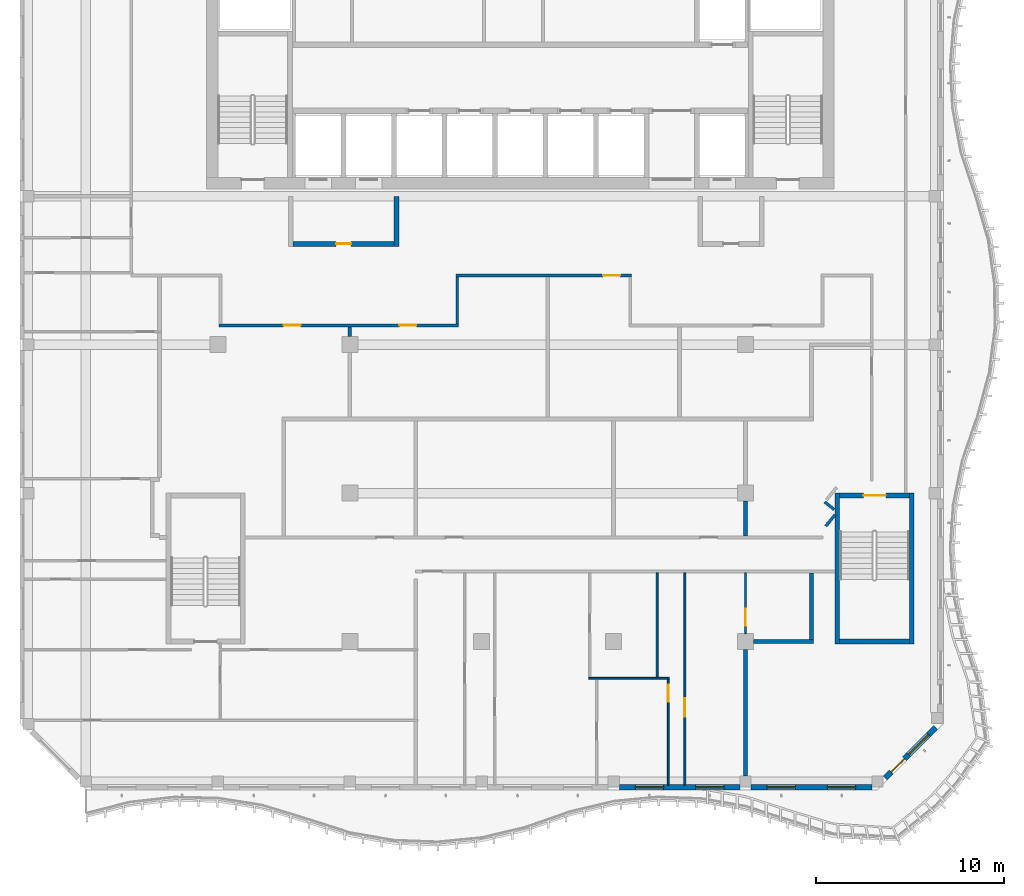
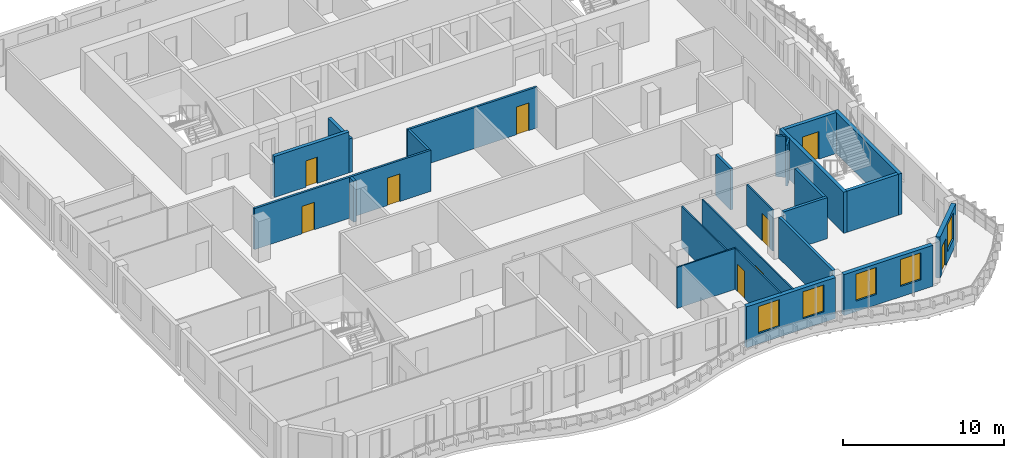
# One storey, part 4 of 17: 24 walls, 9 doors, 5 windows, 14 openings.
"""IFC4 building model written with IfcOpenShell, lengths in metres."""

from ifc_helpers import new_model, si_unit, direction, frame, frame_2d, origin, place, context, subcontext, project, spatial, rectangle, extrude, source, transform, mapped, material, layer, layer_set, type_object, element, fill, save


model = new_model("IFC4")

# Units and contexts
model_context = context("Model", 3, precision=1e-05, world=origin(), true_north=direction((0.0, 1.0)))
body_context = subcontext(model_context, "Body", "Model", "MODEL_VIEW")
ifc_project = project(units=[si_unit("LENGTHUNIT", "METRE"), si_unit("AREAUNIT", "SQUARE_METRE"), si_unit("VOLUMEUNIT", "CUBIC_METRE"), si_unit("PLANEANGLEUNIT", "RADIAN"), si_unit("MASSUNIT", "GRAM", prefix="KILO")], contexts=[model_context])

# Site, building, storey
site_placement = place(None, origin())
site = spatial("IfcSite", under=ifc_project, at=site_placement, CompositionType="ELEMENT")
building_placement = place(site_placement, origin())
building = spatial("IfcBuilding", under=site, at=building_placement, Name="Kilnfold Tower and Market Hall", CompositionType="ELEMENT")
storey_placement = place(building_placement, frame((0.0, 0.0, 308.60009765625)))
storey = spatial("IfcBuildingStorey", under=building, at=storey_placement, Name="L77", CompositionType="ELEMENT", Elevation=308.60009765625)

# Wall, openings, doors
ifc_material_1 = material(Name="Gypsum board on steel studs", Category="steel")
ifc_layer_1 = layer(ifc_material_1, 0.14990234375)
ifc_layer_set_1 = layer_set([ifc_layer_1], Name="Gypsum board on steel studs")
wall_type_1 = type_object("IfcWallType", Name="WALL CORRIDOR 150", PredefinedType="PARTITIONING", material=ifc_layer_set_1)
wall_1_placement = place(storey_placement, frame((-14.93505859375, 1.14990234375, 0.0), z_axis=(0.0, 0.0, 1.0), x_axis=(1.0, 0.0, 0.0)))
wall_1 = element("IfcWall", 1, at=wall_1_placement, inside=storey, type_object=wall_type_1, Name="Partition LY46.10", PredefinedType="PARTITIONING", context=body_context, shape_type="SweptSolid", body=[
    extrude(rectangle(XDim=12.7099609375, YDim=0.14990234375, at=frame_2d((6.35498046875, 0.0))), origin(), (0.0, 0.0, 1.0), 3.119873046875),
])
opening_1_placement = place(wall_1_placement, frame((3.426025390625, 0.0, 0.0)))
opening_1 = element("IfcOpeningElement", 2, at=opening_1_placement, cuts=wall_1, Name="Opening D2", PredefinedType="OPENING", context=body_context, shape_type="SweptSolid", body=[
    extrude(rectangle(XDim=0.89990234375, YDim=2.10009765625, at=frame_2d((0.449951171875, 1.050048828125))), frame((0.0, 0.0849609375, 0.0), z_axis=(0.0, -1.0, 0.0), x_axis=(1.0, 0.0, 0.0)), (0.0, 0.0, 1.0), 0.169921875),
])
opening_2_placement = place(wall_1_placement, frame((9.571044921875, 0.0, 0.0)))
opening_2 = element("IfcOpeningElement", 3, at=opening_2_placement, cuts=wall_1, Name="Opening D2", PredefinedType="OPENING", context=body_context, shape_type="SweptSolid", body=[
    extrude(rectangle(XDim=0.89990234375, YDim=2.10009765625, at=frame_2d((0.449951171875, 1.050048828125))), frame((0.0, 0.0849609375, 0.0), z_axis=(0.0, -1.0, 0.0), x_axis=(1.0, 0.0, 0.0)), (0.0, 0.0, 1.0), 0.169921875),
])
ifc_material_2 = material(Name="Timber veneer door leaf in steel frame", Category="steel")
door_type_1 = type_object("IfcDoorType", Name="DOOR ROOM 900 X2100", OperationType="NOTDEFINED", PredefinedType="DOOR", material=ifc_material_2)
door_1_placement = place(opening_1_placement, origin())
door_1 = element("IfcDoor", 4, at=door_1_placement, inside=storey, type_object=door_type_1, Name="Door D2", OperationType="SINGLE_SWING_LEFT", OverallHeight=2.10009765625, OverallWidth=0.89990234375, PredefinedType="DOOR", context=body_context, shape_type="SweptSolid", body=[
    extrude(rectangle(XDim=0.89990234375, YDim=2.10009765625, at=frame_2d((0.449951171875, 1.050048828125))), frame((0.0, 0.02490234375, 0.0), z_axis=(0.0, -1.0, 0.0), x_axis=(1.0, 0.0, 0.0)), (0.0, 0.0, 1.0), 0.050048828125),
])
fill(opening_1, door_1)
door_2_placement = place(opening_2_placement, origin())
door_2 = element("IfcDoor", 5, at=door_2_placement, inside=storey, type_object=door_type_1, Name="Door D2", OperationType="SINGLE_SWING_LEFT", OverallHeight=2.10009765625, OverallWidth=0.89990234375, PredefinedType="DOOR", context=body_context, shape_type="SweptSolid", body=[
    extrude(rectangle(XDim=0.89990234375, YDim=2.10009765625, at=frame_2d((0.449951171875, 1.050048828125))), frame((0.0, 0.02490234375, 0.0), z_axis=(0.0, -1.0, 0.0), x_axis=(1.0, 0.0, 0.0)), (0.0, 0.0, 1.0), 0.050048828125),
])
fill(opening_2, door_2)

# Wall, opening, door
wall_2_placement = place(storey_placement, frame((-2.375, 3.800048828125, 0.0), z_axis=(0.0, 0.0, 1.0), x_axis=(1.0, 0.0, 0.0)))
wall_2 = element("IfcWall", 6, at=wall_2_placement, inside=storey, type_object=wall_type_1, Name="Partition LY46.13", PredefinedType="PARTITIONING", context=body_context, shape_type="SweptSolid", body=[
    extrude(rectangle(XDim=9.330078125, YDim=0.14990234375, at=frame_2d((4.6650390625, 0.0))), origin(), (0.0, 0.0, 1.0), 3.119873046875),
])
opening_3_placement = place(wall_2_placement, frame((7.822021484375, 0.0, 0.0)))
opening_3 = element("IfcOpeningElement", 7, at=opening_3_placement, cuts=wall_2, Name="Opening D2", PredefinedType="OPENING", context=body_context, shape_type="SweptSolid", body=[
    extrude(rectangle(XDim=0.89990234375, YDim=2.10009765625, at=frame_2d((0.449951171875, 1.050048828125))), frame((0.0, 0.0849609375, 0.0), z_axis=(0.0, -1.0, 0.0), x_axis=(1.0, 0.0, 0.0)), (0.0, 0.0, 1.0), 0.169921875),
])
door_3_placement = place(opening_3_placement, origin())
door_3 = element("IfcDoor", 8, at=door_3_placement, inside=storey, type_object=door_type_1, Name="Door D2", OperationType="SINGLE_SWING_RIGHT", OverallHeight=2.10009765625, OverallWidth=0.89990234375, PredefinedType="DOOR", context=body_context, shape_type="SweptSolid", body=[
    extrude(rectangle(XDim=0.89990234375, YDim=2.10009765625, at=frame_2d((0.449951171875, 1.050048828125))), frame((0.0, 0.02490234375, 0.0), z_axis=(0.0, -1.0, 0.0), x_axis=(1.0, 0.0, 0.0)), (0.0, 0.0, 1.0), 0.050048828125),
])
fill(opening_3, door_3)

# Walls
wall_3_placement = place(storey_placement, frame((-2.300048828125, 1.22509765625, 0.0), z_axis=(0.0, 0.0, 1.0), x_axis=(0.0, 1.0, 0.0)))
element("IfcWall", 9, at=wall_3_placement, inside=storey, type_object=wall_type_1, Name="Partition LY46.14", PredefinedType="PARTITIONING", context=body_context, shape_type="SweptSolid", body=[
    extrude(rectangle(XDim=2.5, YDim=0.14990234375, at=frame_2d((1.25, 0.0))), origin(), (0.0, 0.0, 1.0), 3.119873046875),
])
wall_4_placement = place(storey_placement, frame((17.748046875, -8.902099609375, 0.0), z_axis=(0.0, 0.0, 1.0), x_axis=(-0.630342797145, -0.776316918589, 0.0)))
element("IfcWall", 10, at=wall_4_placement, inside=storey, type_object=wall_type_1, Name="Partition LY46.17", PredefinedType="PARTITIONING", context=body_context, shape_type="SweptSolid", body=[
    extrude(rectangle(XDim=0.772705078125, YDim=0.14990234375, at=frame_2d((0.38623046875, 0.0))), origin(), (0.0, 0.0, 1.0), 3.119873046875),
])
wall_5_placement = place(storey_placement, frame((17.2060546875, -8.218017578125, 0.0), z_axis=(0.0, 0.0, 1.0), x_axis=(0.776102288291, -0.630607039376, 0.0)))
element("IfcWall", 11, at=wall_5_placement, inside=storey, type_object=wall_type_1, Name="Partition LY46.18", PredefinedType="PARTITIONING", context=body_context, shape_type="SweptSolid", body=[
    extrude(rectangle(XDim=0.6376953125, YDim=0.14990234375, at=frame_2d((0.31884765625, 0.0))), origin(), (0.0, 0.0, 1.0), 3.119873046875),
])
ifc_material_3 = material(Name="Gypsum board on steel studs", Category="steel")
ifc_layer_2 = layer(ifc_material_3, 0.10009765625)
ifc_layer_set_2 = layer_set([ifc_layer_2], Name="Gypsum board on steel studs")
wall_type_2 = type_object("IfcWallType", Name="WALL PARTITION 100", PredefinedType="PARTITIONING", material=ifc_layer_set_2)
wall_6_placement = place(storey_placement, frame((4.68994140625, -17.575927734375, 0.0), z_axis=(0.0, 0.0, 1.0), x_axis=(1.0, 0.0, 0.0)))
element("IfcWall", 12, at=wall_6_placement, inside=storey, type_object=wall_type_2, Name="Partition LY46.50", PredefinedType="PARTITIONING", context=body_context, shape_type="SweptSolid", body=[
    extrude(rectangle(XDim=4.260009765625, YDim=0.10009765625, at=frame_2d((2.1298828125, 0.0))), origin(), (0.0, 0.0, 1.0), 3.119873046875),
])

# Wall, opening, door
wall_7_placement = place(storey_placement, frame((8.89990234375, -23.25, 0.0), z_axis=(0.0, 0.0, 1.0), x_axis=(0.0, 1.0, 0.0)))
wall_7 = element("IfcWall", 13, at=wall_7_placement, inside=storey, type_object=wall_type_2, Name="Partition LY46.51", PredefinedType="PARTITIONING", context=body_context, shape_type="SweptSolid", body=[
    extrude(rectangle(XDim=5.6240234375, YDim=0.10009765625, at=frame_2d((2.81201171875, 0.0))), origin(), (0.0, 0.0, 1.0), 3.119873046875),
])
opening_4_placement = place(wall_7_placement, frame((4.423095703125, 0.0, 0.0)))
opening_4 = element("IfcOpeningElement", 14, at=opening_4_placement, cuts=wall_7, Name="Opening D2", PredefinedType="OPENING", context=body_context, shape_type="SweptSolid", body=[
    extrude(rectangle(XDim=0.89990234375, YDim=2.10009765625, at=frame_2d((0.449951171875, 1.050048828125))), frame((0.0, 0.06005859375, 0.0), z_axis=(0.0, -1.0, 0.0), x_axis=(1.0, 0.0, 0.0)), (0.0, 0.0, 1.0), 0.1201171875),
])
door_4_placement = place(opening_4_placement, origin())
door_4 = element("IfcDoor", 15, at=door_4_placement, inside=storey, type_object=door_type_1, Name="Door D2", OperationType="SINGLE_SWING_LEFT", OverallHeight=2.10009765625, OverallWidth=0.89990234375, PredefinedType="DOOR", context=body_context, shape_type="SweptSolid", body=[
    extrude(rectangle(XDim=0.89990234375, YDim=2.10009765625, at=frame_2d((0.449951171875, 1.050048828125))), frame((0.0, 0.02490234375, 0.0), z_axis=(0.0, -1.0, 0.0), x_axis=(1.0, 0.0, 0.0)), (0.0, 0.0, 1.0), 0.050048828125),
])
fill(opening_4, door_4)

# Wall
wall_8_placement = place(storey_placement, frame((8.31005859375, -17.52587890625, 0.0), z_axis=(0.0, 0.0, 1.0), x_axis=(0.0, 1.0, 0.0)))
element("IfcWall", 16, at=wall_8_placement, inside=storey, type_object=wall_type_2, Name="Partition LY46.52", PredefinedType="PARTITIONING", context=body_context, shape_type="SweptSolid", body=[
    extrude(rectangle(XDim=5.548828125, YDim=0.10009765625, at=frame_2d((2.7744140625, 0.0))), origin(), (0.0, 0.0, 1.0), 3.119873046875),
])

# Wall, opening, door
wall_9_placement = place(storey_placement, frame((9.780029296875, -23.25, 0.0), z_axis=(0.0, 0.0, 1.0), x_axis=(0.0, 1.0, 0.0)))
wall_9 = element("IfcWall", 17, at=wall_9_placement, inside=storey, type_object=wall_type_2, Name="Partition LY46.53", PredefinedType="PARTITIONING", context=body_context, shape_type="SweptSolid", body=[
    extrude(rectangle(XDim=11.27294921875, YDim=0.10009765625, at=frame_2d((5.636474609375, 0.0))), origin(), (0.0, 0.0, 1.0), 3.119873046875),
])
opening_5_placement = place(wall_9_placement, frame((3.625, 0.0, 0.0)))
opening_5 = element("IfcOpeningElement", 18, at=opening_5_placement, cuts=wall_9, Name="Opening D1", PredefinedType="OPENING", context=body_context, shape_type="SweptSolid", body=[
    extrude(rectangle(XDim=1.0, YDim=2.10009765625, at=frame_2d((0.5, 1.050048828125))), frame((0.0, 0.06005859375, 0.0), z_axis=(0.0, -1.0, 0.0), x_axis=(1.0, 0.0, 0.0)), (0.0, 0.0, 1.0), 0.1201171875),
])
ifc_material_4 = material(Name="Timber veneer door leaf in steel frame", Category="steel")
door_type_2 = type_object("IfcDoorType", Name="DOOR ENTRY 1000 X2100", OperationType="NOTDEFINED", PredefinedType="DOOR", material=ifc_material_4)
door_5_placement = place(opening_5_placement, origin())
door_5 = element("IfcDoor", 19, at=door_5_placement, inside=storey, type_object=door_type_2, Name="Door D1", OperationType="SINGLE_SWING_LEFT", OverallHeight=2.10009765625, OverallWidth=1.0, PredefinedType="DOOR", context=body_context, shape_type="SweptSolid", body=[
    extrude(rectangle(XDim=1.0, YDim=2.10009765625, at=frame_2d((0.5, 1.050048828125))), frame((0.0, 0.02490234375, 0.0), z_axis=(0.0, -1.0, 0.0), x_axis=(1.0, 0.0, 0.0)), (0.0, 0.0, 1.0), 0.050048828125),
])
fill(opening_5, door_5)

wall_10_placement = place(storey_placement, frame((13.0, -15.199951171875, 0.0), z_axis=(0.0, 0.0, 1.0), x_axis=(0.0, 1.0, 0.0)))
wall_10 = element("IfcWall", 20, at=wall_10_placement, inside=storey, type_object=wall_type_2, Name="Partition LY46.54", PredefinedType="PARTITIONING", context=body_context, shape_type="SweptSolid", body=[
    extrude(rectangle(XDim=3.222900390625, YDim=0.10009765625, at=frame_2d((1.611328125, 0.0))), origin(), (0.0, 0.0, 1.0), 3.119873046875),
])
opening_6_placement = place(wall_10_placement, frame((0.402099609375, 0.0, 0.0)))
opening_6 = element("IfcOpeningElement", 21, at=opening_6_placement, cuts=wall_10, Name="Opening D2", PredefinedType="OPENING", context=body_context, shape_type="SweptSolid", body=[
    extrude(rectangle(XDim=0.89990234375, YDim=2.10009765625, at=frame_2d((0.449951171875, 1.050048828125))), frame((0.0, 0.06005859375, 0.0), z_axis=(0.0, -1.0, 0.0), x_axis=(1.0, 0.0, 0.0)), (0.0, 0.0, 1.0), 0.1201171875),
])
door_6_placement = place(opening_6_placement, origin())
door_6 = element("IfcDoor", 22, at=door_6_placement, inside=storey, type_object=door_type_1, Name="Door D2", OperationType="SINGLE_SWING_LEFT", OverallHeight=2.10009765625, OverallWidth=0.89990234375, PredefinedType="DOOR", context=body_context, shape_type="SweptSolid", body=[
    extrude(rectangle(XDim=0.89990234375, YDim=2.10009765625, at=frame_2d((0.449951171875, 1.050048828125))), frame((0.0, 0.02490234375, 0.0), z_axis=(0.0, -1.0, 0.0), x_axis=(1.0, 0.0, 0.0)), (0.0, 0.0, 1.0), 0.050048828125),
])
fill(opening_6, door_6)

# Walls
ifc_material_5 = material(Name="Gypsum board on steel studs", Category="steel")
ifc_layer_3 = layer(ifc_material_5, 0.199951171875)
ifc_layer_set_3 = layer_set([ifc_layer_3], Name="Gypsum board on steel studs")
wall_type_3 = type_object("IfcWallType", Name="WALL PARTY 200", PredefinedType="PARTITIONING", material=ifc_layer_set_3)
wall_11_placement = place(storey_placement, frame((13.0, -22.75, 0.0), z_axis=(0.0, 0.0, 1.0), x_axis=(0.0, 1.0, 0.0)))
element("IfcWall", 23, at=wall_11_placement, inside=storey, type_object=wall_type_3, Name="Partition LY46.55", PredefinedType="PARTITIONING", context=body_context, shape_type="SweptSolid", body=[
    extrude(rectangle(XDim=6.699951171875, YDim=0.199951171875, at=frame_2d((3.35009765625, 0.0))), origin(), (0.0, 0.0, 1.0), 3.119873046875),
])
wall_12_placement = place(storey_placement, frame((16.5, -15.52490234375, 0.0), z_axis=(0.0, 0.0, 1.0), x_axis=(0.0, 1.0, 0.0)))
element("IfcWall", 24, at=wall_12_placement, inside=storey, type_object=wall_type_3, Name="Partition LY46.56", PredefinedType="PARTITIONING", context=body_context, shape_type="SweptSolid", body=[
    extrude(rectangle(XDim=3.5478515625, YDim=0.199951171875, at=frame_2d((1.77392578125, 0.0))), origin(), (0.0, 0.0, 1.0), 3.119873046875),
])
wall_13_placement = place(storey_placement, frame((13.425048828125, -15.625, 0.0), z_axis=(0.0, 0.0, 1.0), x_axis=(1.0, 0.0, 0.0)))
element("IfcWall", 25, at=wall_13_placement, inside=storey, type_object=wall_type_3, Name="Partition LY46.57", PredefinedType="PARTITIONING", context=body_context, shape_type="SweptSolid", body=[
    extrude(rectangle(XDim=3.175048828125, YDim=0.199951171875, at=frame_2d((1.58740234375, 0.0))), origin(), (0.0, 0.0, 1.0), 3.119873046875),
])
wall_14_placement = place(storey_placement, frame((-8.0, 0.550048828125, 0.0), z_axis=(0.0, 0.0, 1.0), x_axis=(0.0, 1.0, 0.0)))
element("IfcWall", 26, at=wall_14_placement, inside=storey, type_object=wall_type_3, Name="Partition LY46.60", PredefinedType="PARTITIONING", context=body_context, shape_type="SweptSolid", body=[
    extrude(rectangle(XDim=0.52294921875, YDim=0.199951171875, at=frame_2d((0.261474609375, 0.0))), origin(), (0.0, 0.0, 1.0), 3.119873046875),
])
wall_15_placement = place(storey_placement, frame((13.0, -10.02294921875, 0.0), z_axis=(0.0, 0.0, 1.0), x_axis=(0.0, 1.0, 0.0)))
element("IfcWall", 27, at=wall_15_placement, inside=storey, type_object=wall_type_3, Name="Partition LY46.69", PredefinedType="PARTITIONING", context=body_context, shape_type="SweptSolid", body=[
    extrude(rectangle(XDim=1.847900390625, YDim=0.199951171875, at=frame_2d((0.923828125, 0.0))), origin(), (0.0, 0.0, 1.0), 3.119873046875),
])
ifc_material_6 = material(Name="Concrete C50", Category="concrete")
ifc_layer_4 = layer(ifc_material_6, 0.25)
ifc_layer_set_4 = layer_set([ifc_layer_4], Name="Concrete C50")
wall_type_4 = type_object("IfcWallType", Name="CORE WALL 250 C50", PredefinedType="SHEAR", material=ifc_layer_set_4)
shared_shape_1 = source(origin(), body_context, "Body", "SweptSolid", [
    extrude(rectangle(XDim=3.699951171875, YDim=0.25, at=frame_2d((1.85009765625, 0.0))), origin(), (0.0, 0.0, 1.0), 3.119873046875),
])
wall_16_placement = place(storey_placement, frame((18.0, -15.625, 0.0), z_axis=(0.0, 0.0, 1.0), x_axis=(1.0, 0.0, 0.0)))
element("IfcWall", 28, at=wall_16_placement, inside=storey, type_object=wall_type_4, Name="Stair enclosure ST4", PredefinedType="SHEAR", context=body_context, shape_type="MappedRepresentation", body=[
    mapped(shared_shape_1, transform((0.0, 0.0, 0.0))),
])

# Wall, opening, door
wall_17_placement = place(storey_placement, frame((18.0, -7.875, 0.0), z_axis=(0.0, 0.0, 1.0), x_axis=(1.0, 0.0, 0.0)))
wall_17 = element("IfcWall", 29, at=wall_17_placement, inside=storey, type_object=wall_type_4, Name="Stair enclosure ST4", PredefinedType="SHEAR", context=body_context, shape_type="MappedRepresentation", body=[
    mapped(shared_shape_1, transform((0.0, 0.0, 0.0))),
])
opening_7_placement = place(wall_17_placement, frame((1.25, 0.0, 0.0)))
opening_7 = element("IfcOpeningElement", 30, at=opening_7_placement, cuts=wall_17, Name="Opening SD1", PredefinedType="OPENING", context=body_context, shape_type="SweptSolid", body=[
    extrude(rectangle(XDim=1.199951171875, YDim=2.10009765625, at=frame_2d((0.60009765625, 1.050048828125))), frame((0.0, 0.135009765625, 0.0), z_axis=(0.0, -1.0, 0.0), x_axis=(1.0, 0.0, 0.0)), (0.0, 0.0, 1.0), 0.27001953125),
])
ifc_material_7 = material(Name="Steel door set with fire-resisting leaf", Category="steel")
door_type_3 = type_object("IfcDoorType", Name="STAIR FLOOR DOOR 1200X2100", OperationType="NOTDEFINED", PredefinedType="DOOR", material=ifc_material_7)
door_7_placement = place(opening_7_placement, origin())
door_7 = element("IfcDoor", 31, at=door_7_placement, inside=storey, type_object=door_type_3, Name="Exit stair ST4 door", OperationType="DOUBLE_DOOR_SINGLE_SWING", OverallHeight=2.10009765625, OverallWidth=1.199951171875, PredefinedType="DOOR", context=body_context, shape_type="SweptSolid", body=[
    extrude(rectangle(XDim=1.199951171875, YDim=2.10009765625, at=frame_2d((0.60009765625, 1.050048828125))), frame((0.0, 0.02490234375, 0.0), z_axis=(0.0, -1.0, 0.0), x_axis=(1.0, 0.0, 0.0)), (0.0, 0.0, 1.0), 0.050048828125),
])
fill(opening_7, door_7)

# Walls
shared_shape_2 = source(origin(), body_context, "Body", "SweptSolid", [
    extrude(rectangle(XDim=8.0, YDim=0.25, at=frame_2d((4.0, 0.0))), origin(), (0.0, 0.0, 1.0), 3.119873046875),
])
for number, where, z_axis, x_axis, name in (
    (32, (17.875, -15.75, 0.0), (0.0, 0.0, 1.0), (0.0, 1.0, 0.0), "Stair enclosure ST4"),
    (33, (21.824951171875, -15.75, 0.0), (0.0, 0.0, 1.0), (0.0, 1.0, 0.0), "Stair enclosure ST4"),
):
    element("IfcWall", number, at=place(storey_placement, frame(where, z_axis=z_axis, x_axis=x_axis)), inside=storey, type_object=wall_type_4, Name=name, PredefinedType="SHEAR", context=body_context, shape_type="MappedRepresentation", body=[
        mapped(shared_shape_2, transform((0.0, 0.0, 0.0))),
    ])

# Wall, openings, windows
ifc_material_8 = material(Name="Precast concrete C50/60", Category="concrete")
ifc_layer_5 = layer(ifc_material_8, 0.300048828125)
ifc_layer_set_5 = layer_set([ifc_layer_5], Name="Precast concrete C50/60")
wall_type_5 = type_object("IfcWallType", Name="PRECAST WALL 300", PredefinedType="SOLIDWALL", material=ifc_layer_set_5)
shared_shape_3 = source(origin(), body_context, "Body", "SweptSolid", [
    extrude(rectangle(XDim=6.39990234375, YDim=0.300048828125, at=frame_2d((3.199951171875, 0.0))), origin(), (0.0, 0.0, 1.0), 3.119873046875),
])
wall_18_placement = place(storey_placement, frame((6.300048828125, -23.35009765625, 0.0), z_axis=(0.0, 0.0, 1.0), x_axis=(1.0, 0.0, 0.0)))
wall_18 = element("IfcWall", 34, at=wall_18_placement, inside=storey, type_object=wall_type_5, Name="External wall L77 S", PredefinedType="SOLIDWALL", context=body_context, shape_type="MappedRepresentation", body=[
    mapped(shared_shape_3, transform((0.0, 0.0, 0.0))),
])
opening_8_placement = place(wall_18_placement, frame((0.85009765625, 0.0, 0.800048828125)))
opening_8 = element("IfcOpeningElement", 35, at=opening_8_placement, cuts=wall_18, Name="Opening W5", PredefinedType="OPENING", context=body_context, shape_type="SweptSolid", body=[
    extrude(rectangle(XDim=1.5, YDim=2.050048828125, at=frame_2d((0.75, 1.02490234375))), frame((0.0, 0.16015625, 0.0), z_axis=(0.0, -1.0, 0.0), x_axis=(1.0, 0.0, 0.0)), (0.0, 0.0, 1.0), 0.320068359375),
])
opening_9_placement = place(wall_18_placement, frame((4.050048828125, 0.0, 0.800048828125)))
opening_9 = element("IfcOpeningElement", 36, at=opening_9_placement, cuts=wall_18, Name="Opening W5", PredefinedType="OPENING", context=body_context, shape_type="SweptSolid", body=[
    extrude(rectangle(XDim=1.5, YDim=2.050048828125, at=frame_2d((0.75, 1.02490234375))), frame((0.0, 0.16015625, 0.0), z_axis=(0.0, -1.0, 0.0), x_axis=(1.0, 0.0, 0.0)), (0.0, 0.0, 1.0), 0.320068359375),
])
ifc_material_9 = material(Name="Aluminium frame and double glazing", Category="aluminium")
window_type = type_object("IfcWindowType", Name="WINDOW W5 1500X2050", PartitioningType="SINGLE_PANEL", PredefinedType="WINDOW", material=ifc_material_9)
window_1_placement = place(opening_8_placement, origin())
window_1 = element("IfcWindow", 37, at=window_1_placement, inside=storey, type_object=window_type, Name="Window W5 L77 S-1", OverallHeight=2.050048828125, OverallWidth=1.5, PartitioningType="SINGLE_PANEL", PredefinedType="WINDOW", context=body_context, shape_type="SweptSolid", body=[
    extrude(rectangle(XDim=1.5, YDim=2.050048828125, at=frame_2d((0.75, 1.02490234375))), frame((0.0, 0.030029296875, 0.0), z_axis=(0.0, -1.0, 0.0), x_axis=(1.0, 0.0, 0.0)), (0.0, 0.0, 1.0), 0.06005859375),
])
fill(opening_8, window_1)
window_2_placement = place(opening_9_placement, origin())
window_2 = element("IfcWindow", 38, at=window_2_placement, inside=storey, type_object=window_type, Name="Window W5 L77 S-2", OverallHeight=2.050048828125, OverallWidth=1.5, PartitioningType="SINGLE_PANEL", PredefinedType="WINDOW", context=body_context, shape_type="SweptSolid", body=[
    extrude(rectangle(XDim=1.5, YDim=2.050048828125, at=frame_2d((0.75, 1.02490234375))), frame((0.0, 0.030029296875, 0.0), z_axis=(0.0, -1.0, 0.0), x_axis=(1.0, 0.0, 0.0)), (0.0, 0.0, 1.0), 0.06005859375),
])
fill(opening_9, window_2)

wall_19_placement = place(storey_placement, frame((13.300048828125, -23.35009765625, 0.0), z_axis=(0.0, 0.0, 1.0), x_axis=(1.0, 0.0, 0.0)))
wall_19 = element("IfcWall", 39, at=wall_19_placement, inside=storey, type_object=wall_type_5, Name="External wall L77 S", PredefinedType="SOLIDWALL", context=body_context, shape_type="MappedRepresentation", body=[
    mapped(shared_shape_3, transform((0.0, 0.0, 0.0))),
])
opening_10_placement = place(wall_19_placement, frame((0.85009765625, 0.0, 0.800048828125)))
opening_10 = element("IfcOpeningElement", 40, at=opening_10_placement, cuts=wall_19, Name="Opening W5", PredefinedType="OPENING", context=body_context, shape_type="SweptSolid", body=[
    extrude(rectangle(XDim=1.5, YDim=2.050048828125, at=frame_2d((0.75, 1.02490234375))), frame((0.0, 0.16015625, 0.0), z_axis=(0.0, -1.0, 0.0), x_axis=(1.0, 0.0, 0.0)), (0.0, 0.0, 1.0), 0.320068359375),
])
opening_11_placement = place(wall_19_placement, frame((4.050048828125, 0.0, 0.800048828125)))
opening_11 = element("IfcOpeningElement", 41, at=opening_11_placement, cuts=wall_19, Name="Opening W5", PredefinedType="OPENING", context=body_context, shape_type="SweptSolid", body=[
    extrude(rectangle(XDim=1.5, YDim=2.050048828125, at=frame_2d((0.75, 1.02490234375))), frame((0.0, 0.16015625, 0.0), z_axis=(0.0, -1.0, 0.0), x_axis=(1.0, 0.0, 0.0)), (0.0, 0.0, 1.0), 0.320068359375),
])
window_3_placement = place(opening_10_placement, origin())
window_3 = element("IfcWindow", 42, at=window_3_placement, inside=storey, type_object=window_type, Name="Window W5 L77 S-1", OverallHeight=2.050048828125, OverallWidth=1.5, PartitioningType="SINGLE_PANEL", PredefinedType="WINDOW", context=body_context, shape_type="SweptSolid", body=[
    extrude(rectangle(XDim=1.5, YDim=2.050048828125, at=frame_2d((0.75, 1.02490234375))), frame((0.0, 0.030029296875, 0.0), z_axis=(0.0, -1.0, 0.0), x_axis=(1.0, 0.0, 0.0)), (0.0, 0.0, 1.0), 0.06005859375),
])
fill(opening_10, window_3)
window_4_placement = place(opening_11_placement, origin())
window_4 = element("IfcWindow", 43, at=window_4_placement, inside=storey, type_object=window_type, Name="Window W5 L77 S-2", OverallHeight=2.050048828125, OverallWidth=1.5, PartitioningType="SINGLE_PANEL", PredefinedType="WINDOW", context=body_context, shape_type="SweptSolid", body=[
    extrude(rectangle(XDim=1.5, YDim=2.050048828125, at=frame_2d((0.75, 1.02490234375))), frame((0.0, 0.030029296875, 0.0), z_axis=(0.0, -1.0, 0.0), x_axis=(1.0, 0.0, 0.0)), (0.0, 0.0, 1.0), 0.06005859375),
])
fill(opening_11, window_4)

# Wall, openings, door, window
shared_shape_4 = source(origin(), body_context, "Body", "SweptSolid", [
    extrude(rectangle(XDim=3.783203125, YDim=0.300048828125, at=frame_2d((1.8916015625, 0.0))), origin(), (0.0, 0.0, 1.0), 3.119873046875),
])
wall_20_placement = place(storey_placement, frame((20.4189453125, -22.868896484375, 0.0), z_axis=(0.0, 0.0, 1.0), x_axis=(0.707106781187, 0.707106781187, 0.0)))
wall_20 = element("IfcWall", 44, at=wall_20_placement, inside=storey, type_object=wall_type_5, Name="External wall L77 SE", PredefinedType="SOLIDWALL", context=body_context, shape_type="MappedRepresentation", body=[
    mapped(shared_shape_4, transform((0.0, 0.0, 0.0))),
])
opening_12_placement = place(wall_20_placement, frame((1.75, 0.0, 0.800048828125)))
opening_12 = element("IfcOpeningElement", 45, at=opening_12_placement, cuts=wall_20, Name="Opening W5", PredefinedType="OPENING", context=body_context, shape_type="SweptSolid", body=[
    extrude(rectangle(XDim=1.5, YDim=2.050048828125, at=frame_2d((0.75, 1.02490234375))), frame((0.0, 0.16015625, 0.0), z_axis=(0.0, -1.0, 0.0), x_axis=(1.0, 0.0, 0.0)), (0.0, 0.0, 1.0), 0.320068359375),
])
opening_13_placement = place(wall_20_placement, frame((0.449951171875, 0.0, 0.0)))
opening_13 = element("IfcOpeningElement", 46, at=opening_13_placement, cuts=wall_20, Name="Opening BD1", PredefinedType="OPENING", context=body_context, shape_type="SweptSolid", body=[
    extrude(rectangle(XDim=1.0, YDim=2.10009765625, at=frame_2d((0.5, 1.050048828125))), frame((0.0, 0.16015625, 0.0), z_axis=(0.0, -1.0, 0.0), x_axis=(1.0, 0.0, 0.0)), (0.0, 0.0, 1.0), 0.320068359375),
])
ifc_material_10 = material(Name="Aluminium frame and double glazing", Category="aluminium")
door_type_4 = type_object("IfcDoorType", Name="BALCONY DOOR 1000X2100", OperationType="NOTDEFINED", PredefinedType="DOOR", material=ifc_material_10)
door_8_placement = place(opening_13_placement, origin())
door_8 = element("IfcDoor", 47, at=door_8_placement, inside=storey, type_object=door_type_4, Name="Balcony door BD1 L77 SE-1", OperationType="SINGLE_SWING_LEFT", OverallHeight=2.10009765625, OverallWidth=1.0, PredefinedType="DOOR", context=body_context, shape_type="SweptSolid", body=[
    extrude(rectangle(XDim=1.0, YDim=2.10009765625, at=frame_2d((0.5, 1.050048828125))), frame((0.0, 0.02490234375, 0.0), z_axis=(0.0, -1.0, 0.0), x_axis=(1.0, 0.0, 0.0)), (0.0, 0.0, 1.0), 0.050048828125),
])
fill(opening_13, door_8)
window_5_placement = place(opening_12_placement, origin())
window_5 = element("IfcWindow", 48, at=window_5_placement, inside=storey, type_object=window_type, Name="Window W5 L77 SE-1", OverallHeight=2.050048828125, OverallWidth=1.5, PartitioningType="SINGLE_PANEL", PredefinedType="WINDOW", context=body_context, shape_type="SweptSolid", body=[
    extrude(rectangle(XDim=1.5, YDim=2.050048828125, at=frame_2d((0.75, 1.02490234375))), frame((0.0, 0.030029296875, 0.0), z_axis=(0.0, -1.0, 0.0), x_axis=(1.0, 0.0, 0.0)), (0.0, 0.0, 1.0), 0.06005859375),
])
fill(opening_12, window_5)

# Wall, opening, door
ifc_material_11 = material(Name="Gypsum shaft wall system")
ifc_layer_6 = layer(ifc_material_11, 0.25)
ifc_layer_set_6 = layer_set([ifc_layer_6], Name="Gypsum shaft wall system")
wall_type_6 = type_object("IfcWallType", Name="LOBBY WALL 250", PredefinedType="PARTITIONING", material=ifc_layer_set_6)
shared_shape_5 = source(origin(), body_context, "Body", "SweptSolid", [
    extrude(rectangle(XDim=5.360107421875, YDim=0.25, at=frame_2d((2.68017578125, 0.0))), origin(), (0.0, 0.0, 1.0), 3.119873046875),
])
wall_21_placement = place(storey_placement, frame((-11.010009765625, 5.47509765625, 0.0), z_axis=(0.0, 0.0, 1.0), x_axis=(1.0, 0.0, 0.0)))
wall_21 = element("IfcWall", 49, at=wall_21_placement, inside=storey, type_object=wall_type_6, Name="Firefighting lobby wall", PredefinedType="PARTITIONING", context=body_context, shape_type="MappedRepresentation", body=[
    mapped(shared_shape_5, transform((0.0, 0.0, 0.0))),
])
opening_14_placement = place(wall_21_placement, frame((2.280029296875, 0.0, 0.0)))
opening_14 = element("IfcOpeningElement", 50, at=opening_14_placement, cuts=wall_21, Name="Opening VD1", PredefinedType="OPENING", context=body_context, shape_type="SweptSolid", body=[
    extrude(rectangle(XDim=0.800048828125, YDim=2.0, at=frame_2d((0.39990234375, 1.0))), frame((0.0, 0.135009765625, 0.0), z_axis=(0.0, -1.0, 0.0), x_axis=(1.0, 0.0, 0.0)), (0.0, 0.0, 1.0), 0.27001953125),
])
ifc_material_12 = material(Name="Steel door set with fire-resisting leaf", Category="steel")
door_type_5 = type_object("IfcDoorType", Name="FIREFIGHTING LOBBY DOOR 800X2000", OperationType="NOTDEFINED", PredefinedType="DOOR", material=ifc_material_12)
door_9_placement = place(opening_14_placement, origin())
door_9 = element("IfcDoor", 51, at=door_9_placement, inside=storey, type_object=door_type_5, Name="Firefighting lobby door", OperationType="SINGLE_SWING_LEFT", OverallHeight=2.0, OverallWidth=0.800048828125, PredefinedType="DOOR", context=body_context, shape_type="SweptSolid", body=[
    extrude(rectangle(XDim=0.800048828125, YDim=2.0, at=frame_2d((0.39990234375, 1.0))), frame((0.0, 0.02490234375, 0.0), z_axis=(0.0, -1.0, 0.0), x_axis=(1.0, 0.0, 0.0)), (0.0, 0.0, 1.0), 0.050048828125),
])
fill(opening_14, door_9)

# Wall
shared_shape_6 = source(origin(), body_context, "Body", "SweptSolid", [
    extrude(rectangle(XDim=2.64990234375, YDim=0.25, at=frame_2d((1.324951171875, 0.0))), origin(), (0.0, 0.0, 1.0), 2.56982421875),
])
wall_22_placement = place(storey_placement, frame((-5.52490234375, 5.35009765625, 0.0), z_axis=(0.0, 0.0, 1.0), x_axis=(0.0, 1.0, 0.0)))
element("IfcWall", 52, at=wall_22_placement, inside=storey, type_object=wall_type_6, Name="Firefighting lobby wall", PredefinedType="PARTITIONING", context=body_context, shape_type="MappedRepresentation", body=[
    mapped(shared_shape_6, transform((0.0, 0.0, 0.0))),
])

save(model, "model.ifc")
